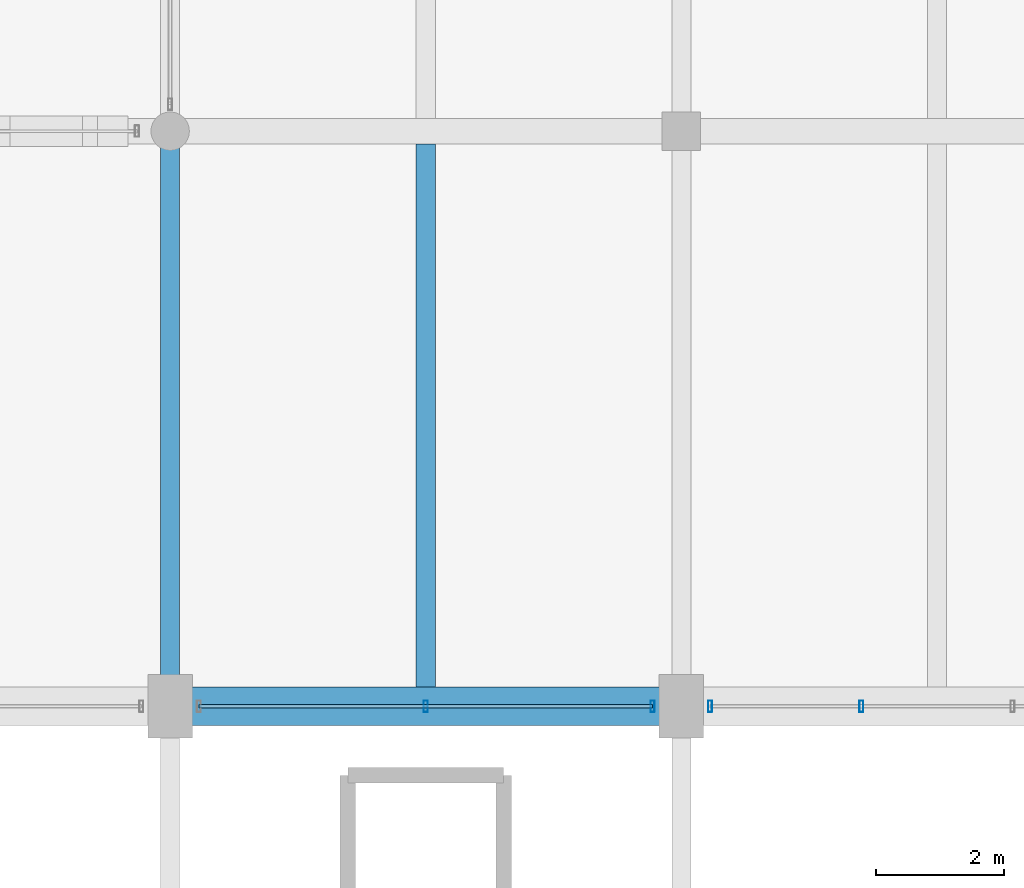
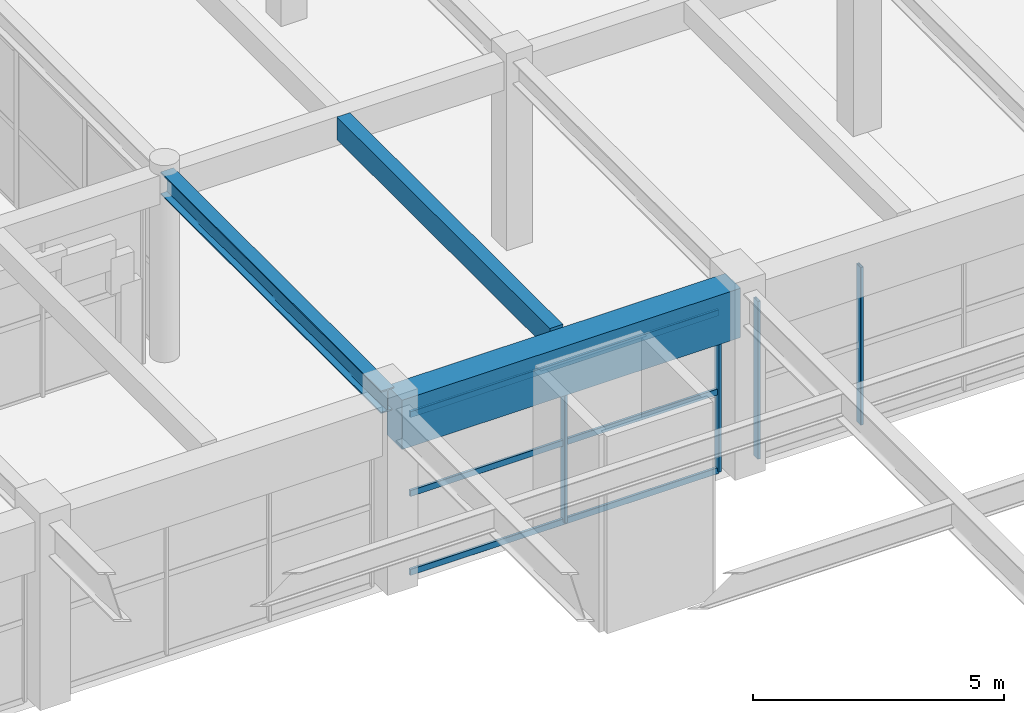
# One storey, part 57 of 144: 7 members, 3 beams, 2 elements without a shape of their own.
"""IFC4 building model written with IfcOpenShell, lengths in metres."""

from ifc_helpers import new_model, si_unit, direction, frame, origin, origin_2d, place, context, subcontext, project, spatial, rectangle, hollow_rectangle, i_section, extrude, material, material_profile, profile_set, type_object, element, aggregate, save


model = new_model("IFC4")

# Units and contexts
model_context = context("Model", 3, precision=1e-05, world=origin(), true_north=direction((0.0, 1.0)))
body_context = subcontext(model_context, "Body", "Model", "MODEL_VIEW")
ifc_project = project(units=[si_unit("LENGTHUNIT", "METRE"), si_unit("AREAUNIT", "SQUARE_METRE"), si_unit("VOLUMEUNIT", "CUBIC_METRE"), si_unit("PLANEANGLEUNIT", "RADIAN"), si_unit("MASSUNIT", "GRAM", prefix="KILO")], contexts=[model_context])

# Site, building, storey
site_placement = place(None, origin())
site = spatial("IfcSite", under=ifc_project, at=site_placement, CompositionType="ELEMENT")
building_placement = place(site_placement, origin())
building = spatial("IfcBuilding", under=site, at=building_placement, Name="Varnabhumi Central Station", CompositionType="ELEMENT")
storey_placement = place(building_placement, frame((0.0, 0.0, 4.800048828125)))
storey = spatial("IfcBuildingStorey", under=building, at=storey_placement, Name="L01", CompositionType="ELEMENT", Elevation=4.800048828125)

# Beams
ifc_material_1 = material(Name="Concrete M50", Category="concrete")
ifc_material_profile_1 = material_profile(ifc_material_1, rectangle(XDim=0.60009765625, YDim=1.199951171875, at=origin_2d()), Name="Concrete M50", Category="concrete")
ifc_profile_set_1 = profile_set([ifc_material_profile_1], Name="Concrete M50")
beam_type_1 = type_object("IfcBeamType", Name="BM-RC-1200x600", PredefinedType="BEAM", material=ifc_profile_set_1)
beam_1_placement = place(storey_placement, frame((80.10009765625, 80.0, 3.8798828125), z_axis=(1.0, 0.0, 0.0), x_axis=(0.0, 1.0, 0.0)))
element("IfcBeam", 1, at=beam_1_placement, inside=storey, type_object=beam_type_1, Name="Beam L01-K:11-12", PredefinedType="BEAM", context=body_context, shape_type="SweptSolid", body=[
    extrude(rectangle(XDim=0.60009765625, YDim=1.199951171875, at=origin_2d()), origin(), (0.0, 0.0, 1.0), 7.7998046875),
])
ifc_material_2 = material(Name="Concrete M40", Category="concrete")
ifc_material_profile_2 = material_profile(ifc_material_2, rectangle(XDim=0.300048828125, YDim=0.550048828125, at=origin_2d()), Name="Concrete M40", Category="concrete")
ifc_profile_set_2 = profile_set([ifc_material_profile_2], Name="Concrete M40")
beam_type_2 = type_object("IfcBeamType", Name="BM-RC-300x550", PredefinedType="JOIST", material=ifc_profile_set_2)
beam_2_placement = place(storey_placement, frame((84.0, 80.300048828125, 4.27490234375), z_axis=(0.0, 1.0, 0.0), x_axis=(-1.0, 0.0, 0.0)))
element("IfcBeam", 2, at=beam_2_placement, inside=storey, type_object=beam_type_2, Name="Secondary Joist L01-11/12:K-L", PredefinedType="JOIST", context=body_context, shape_type="SweptSolid", body=[
    extrude(rectangle(XDim=0.300048828125, YDim=0.550048828125, at=origin_2d()), origin(), (0.0, 0.0, 1.0), 8.5),
])
ifc_material_3 = material(Name="Structural steel E350", Category="steel")
ifc_material_profile_3 = material_profile(ifc_material_3, i_section(OverallWidth=0.300048828125, OverallDepth=0.550048828125, WebThickness=0.014892578125, FlangeThickness=0.029052734375, FilletRadius=0.027099609375, at=origin_2d()), Name="Structural steel E350", Category="steel")
ifc_profile_set_3 = profile_set([ifc_material_profile_3], Name="Structural steel E350")
beam_type_3 = type_object("IfcBeamType", Name="BM-STL-WPB550", PredefinedType="BEAM", material=ifc_profile_set_3)
beam_3_placement = place(storey_placement, frame((80.0, 80.10009765625, 4.27490234375), z_axis=(0.0, 1.0, 0.0), x_axis=(-1.0, 0.0, 0.0)))
element("IfcBeam", 3, at=beam_3_placement, inside=storey, type_object=beam_type_3, Name="Beam L01-11:K-L", PredefinedType="BEAM", context=body_context, shape_type="SweptSolid", body=[
    extrude(i_section(OverallWidth=0.300048828125, OverallDepth=0.550048828125, WebThickness=0.014892578125, FlangeThickness=0.029052734375, FilletRadius=0.027099609375, at=origin_2d()), origin(), (0.0, 0.0, 1.0), 8.7998046875),
])

# Curtain wall, members
ifc_material_4 = material(Name="Anodised aluminium 6063-T6", Category="aluminium")
curtain_wall_type_1 = type_object("IfcCurtainWallType", Name="CW-SPINE-SCREEN-L0", PredefinedType="NOTDEFINED", material=ifc_material_4)
curtain_wall_1_placement = place(storey_placement, origin())
curtain_wall_1 = element("IfcCurtainWall", 4, at=curtain_wall_1_placement, inside=storey, type_object=curtain_wall_type_1, Name="Curtain Wall CW-NS110", PredefinedType="NOTDEFINED")
ifc_material_profile_4 = material_profile(ifc_material_4, hollow_rectangle(XDim=0.06494140625, YDim=0.179931640625, WallThickness=0.00390625, InnerFilletRadius=0.001953125, OuterFilletRadius=0.006103515625, at=origin_2d()), Name="Anodised aluminium 6063-T6", Category="aluminium")
ifc_profile_set_4 = profile_set([ifc_material_profile_4], Name="Anodised aluminium 6063-T6")
member_type_1 = type_object("IfcMemberType", Name="CW-MUL-180", PredefinedType="MULLION", material=ifc_profile_set_4)
member_1_placement = place(storey_placement, frame((84.0, 80.0, 0.0), z_axis=(0.0, 0.0, 1.0), x_axis=(1.0, 0.0, 0.0)))
member_1 = element("IfcMember", 5, at=member_1_placement, type_object=member_type_1, Name="Curtain Wall Mullion CW-NS110-M2", PredefinedType="MULLION", context=body_context, shape_type="SweptSolid", body=[
    extrude(hollow_rectangle(XDim=0.06494140625, YDim=0.179931640625, WallThickness=0.00390625, InnerFilletRadius=0.001953125, OuterFilletRadius=0.006103515625, at=origin_2d()), origin(), (0.0, 0.0, 1.0), 3.83984375),
])
member_2_placement = place(storey_placement, frame((87.550048828125, 80.0, 0.0), z_axis=(0.0, 0.0, 1.0), x_axis=(1.0, 0.0, 0.0)))
member_2 = element("IfcMember", 6, at=member_2_placement, type_object=member_type_1, Name="Curtain Wall Mullion CW-NS110-M3", PredefinedType="MULLION", context=body_context, shape_type="SweptSolid", body=[
    extrude(hollow_rectangle(XDim=0.06494140625, YDim=0.179931640625, WallThickness=0.00390625, InnerFilletRadius=0.001953125, OuterFilletRadius=0.006103515625, at=origin_2d()), origin(), (0.0, 0.0, 1.0), 3.83984375),
])

curtain_wall_type_2 = type_object("IfcCurtainWallType", Name="CW-STREET-PORTAL", PredefinedType="NOTDEFINED", material=ifc_material_4)
curtain_wall_2_placement = place(storey_placement, origin())
curtain_wall_2 = element("IfcCurtainWall", 7, at=curtain_wall_2_placement, inside=storey, type_object=curtain_wall_type_2, Name="Curtain Wall CW-NSP111", PredefinedType="NOTDEFINED")
member_3_placement = place(storey_placement, frame((88.449951171875, 80.0, 0.0), z_axis=(0.0, 0.0, 1.0), x_axis=(1.0, 0.0, 0.0)))
member_3 = element("IfcMember", 8, at=member_3_placement, type_object=member_type_1, Name="Curtain Wall Mullion CW-NSP111-M1", PredefinedType="MULLION", context=body_context, shape_type="SweptSolid", body=[
    extrude(hollow_rectangle(XDim=0.06494140625, YDim=0.179931640625, WallThickness=0.00390625, InnerFilletRadius=0.001953125, OuterFilletRadius=0.006103515625, at=origin_2d()), origin(), (0.0, 0.0, 1.0), 3.83984375),
])
member_4_placement = place(storey_placement, frame((90.816650390625, 80.0, 0.0), z_axis=(0.0, 0.0, 1.0), x_axis=(1.0, 0.0, 0.0)))
member_4 = element("IfcMember", 9, at=member_4_placement, type_object=member_type_1, Name="Curtain Wall Mullion CW-NSP111-M2", PredefinedType="MULLION", context=body_context, shape_type="SweptSolid", body=[
    extrude(hollow_rectangle(XDim=0.06494140625, YDim=0.179931640625, WallThickness=0.00390625, InnerFilletRadius=0.001953125, OuterFilletRadius=0.006103515625, at=origin_2d()), origin(), (0.0, 0.0, 1.0), 3.83984375),
])
aggregate(curtain_wall_2, [member_3, member_4])

# Member
ifc_material_profile_5 = material_profile(ifc_material_4, hollow_rectangle(XDim=0.06005859375, YDim=0.14990234375, WallThickness=0.00390625, InnerFilletRadius=0.001953125, OuterFilletRadius=0.006103515625, at=origin_2d()), Name="Anodised aluminium 6063-T6", Category="aluminium")
ifc_profile_set_5 = profile_set([ifc_material_profile_5], Name="Anodised aluminium 6063-T6")
member_type_2 = type_object("IfcMemberType", Name="CW-TR-150", PredefinedType="USERDEFINED", material=ifc_profile_set_5)
member_5_placement = place(storey_placement, frame((80.449951171875, 80.0, 0.0), z_axis=(1.0, 0.0, 0.0), x_axis=(0.0, 1.0, 0.0)))
member_5 = element("IfcMember", 10, at=member_5_placement, type_object=member_type_2, Name="Curtain Wall Transom CW-NS110-T1", ObjectType="TRANSOM", PredefinedType="USERDEFINED", context=body_context, shape_type="SweptSolid", body=[
    extrude(hollow_rectangle(XDim=0.06005859375, YDim=0.14990234375, WallThickness=0.00390625, InnerFilletRadius=0.001953125, OuterFilletRadius=0.006103515625, at=origin_2d()), origin(), (0.0, 0.0, 1.0), 7.10009765625),
])

member_6_placement = place(storey_placement, frame((80.449951171875, 80.0, 1.919921875), z_axis=(1.0, 0.0, 0.0), x_axis=(0.0, 1.0, 0.0)))
member_6 = element("IfcMember", 11, at=member_6_placement, type_object=member_type_2, Name="Curtain Wall Transom CW-NS110-T2", ObjectType="TRANSOM", PredefinedType="USERDEFINED", context=body_context, shape_type="SweptSolid", body=[
    extrude(hollow_rectangle(XDim=0.06005859375, YDim=0.14990234375, WallThickness=0.00390625, InnerFilletRadius=0.001953125, OuterFilletRadius=0.006103515625, at=origin_2d()), origin(), (0.0, 0.0, 1.0), 7.10009765625),
])

member_7_placement = place(storey_placement, frame((80.449951171875, 80.0, 3.83984375), z_axis=(1.0, 0.0, 0.0), x_axis=(0.0, 1.0, 0.0)))
member_7 = element("IfcMember", 12, at=member_7_placement, type_object=member_type_2, Name="Curtain Wall Transom CW-NS110-T3", ObjectType="TRANSOM", PredefinedType="USERDEFINED", context=body_context, shape_type="SweptSolid", body=[
    extrude(hollow_rectangle(XDim=0.06005859375, YDim=0.14990234375, WallThickness=0.00390625, InnerFilletRadius=0.001953125, OuterFilletRadius=0.006103515625, at=origin_2d()), origin(), (0.0, 0.0, 1.0), 7.10009765625),
])

aggregate(curtain_wall_1, [member_1, member_2, member_5, member_6, member_7])

save(model, "model.ifc")
